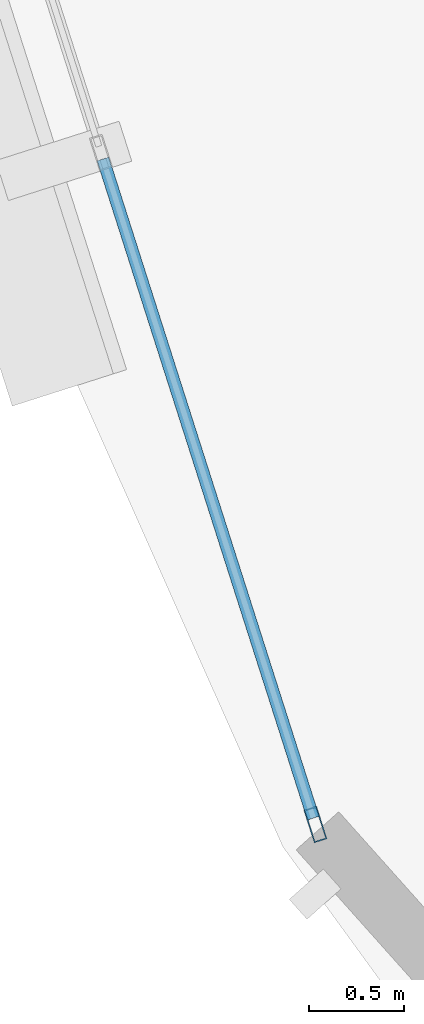
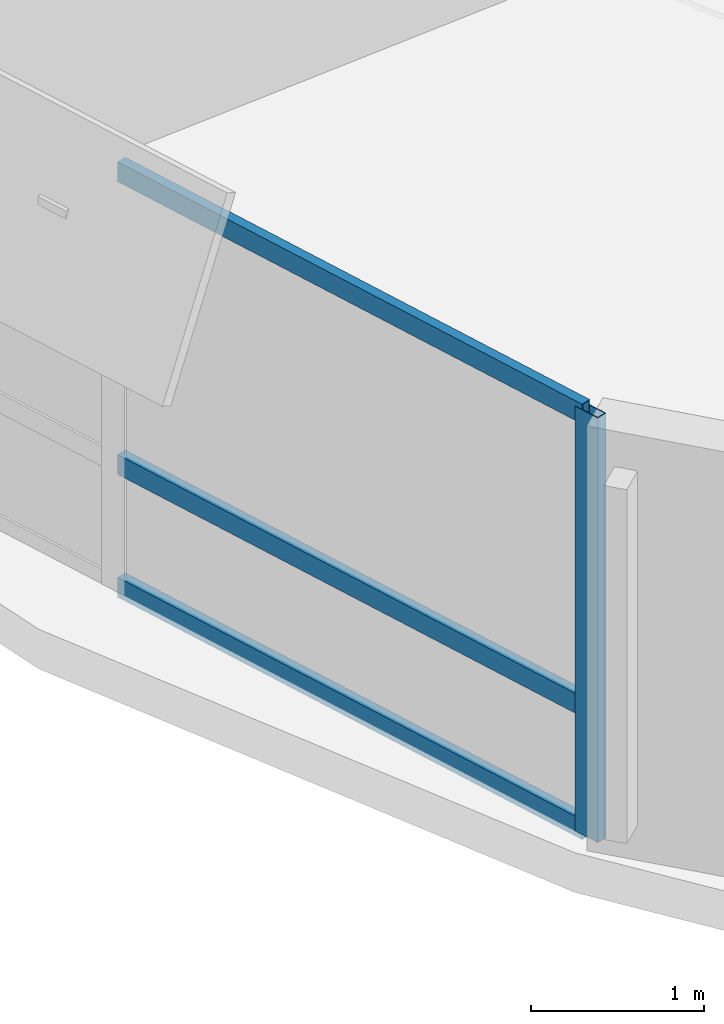
# One storey, part 2 of 16: 4 members, 1 element without a shape of its own.
"""IFC4 building model written with IfcOpenShell, lengths in metres."""

from ifc_helpers import new_model, si_unit, direction, frame, origin, origin_2d, place, context, subcontext, project, spatial, hollow_rectangle, extrude, material, layer, layer_set, material_profile, profile_set, type_object, element, aggregate, save


model = new_model("IFC4")

# Units and contexts
model_context = context("Model", 3, precision=1e-05, world=origin(), true_north=direction((0.0, 1.0)))
body_context = subcontext(model_context, "Body", "Model", "MODEL_VIEW")
ifc_project = project(units=[si_unit("LENGTHUNIT", "METRE"), si_unit("AREAUNIT", "SQUARE_METRE"), si_unit("VOLUMEUNIT", "CUBIC_METRE"), si_unit("PLANEANGLEUNIT", "RADIAN"), si_unit("MASSUNIT", "GRAM", prefix="KILO"), si_unit("THERMODYNAMICTEMPERATUREUNIT", "KELVIN"), si_unit("POWERUNIT", "WATT")], contexts=[model_context])

# Site, building, storey
site_placement = place(None, origin())
site = spatial("IfcSite", under=ifc_project, at=site_placement, CompositionType="ELEMENT")
building_placement = place(site_placement, origin())
building = spatial("IfcBuilding", under=site, at=building_placement, Name="Ocrelia Relay Tower", CompositionType="ELEMENT")
storey_placement = place(building_placement, frame((0.0, 0.0, 51.0)))
storey = spatial("IfcBuildingStorey", under=building, at=storey_placement, Name="L11", CompositionType="ELEMENT", Elevation=51.0)

# Curtain wall, members
ifc_material_1 = material(Name="Aluminium and solar-control low-E glass", Category="aluminium")
ifc_layer = layer(ifc_material_1, 0.179931640625, Name="Aluminium and solar-control low-E glass")
ifc_layer_set = layer_set([ifc_layer], Name="Aluminium and solar-control low-E glass")
curtain_wall_type = type_object("IfcCurtainWallType", Name="CW-SYS-Z1-DATA", PredefinedType="NOTDEFINED", material=ifc_layer_set)
curtain_wall_placement = place(storey_placement, origin())
curtain_wall = element("IfcCurtainWall", 1, at=curtain_wall_placement, inside=storey, type_object=curtain_wall_type, Name="L11 Elliptical Tower Curtain Wall Bay 10", PredefinedType="NOTDEFINED")
ifc_material_2 = material(Name="Anodised bronze aluminium", Category="aluminium")
ifc_material_profile_1 = material_profile(ifc_material_2, hollow_rectangle(XDim=0.070068359375, YDim=0.179931640625, WallThickness=0.006103515625, at=origin_2d()), Name="CW-MUL-180x70")
ifc_profile_set_1 = profile_set([ifc_material_profile_1], Name="Anodised bronze aluminium")
member_type_1 = type_object("IfcMemberType", Name="CW-SYS-Z1-DATA-MUL", PredefinedType="MULLION", material=ifc_profile_set_1)
member_1_placement = place(storey_placement, frame((8.558837890625, 16.610107421875, 0.0), z_axis=(0.0, 0.0, 1.0), x_axis=(0.952608497363, 0.304199031476, 0.0)))
member_1 = element("IfcMember", 2, at=member_1_placement, type_object=member_type_1, Name="CW-Z1 mullion 3", PredefinedType="MULLION", context=body_context, shape_type="SweptSolid", body=[
    extrude(hollow_rectangle(XDim=0.070068359375, YDim=0.179931640625, WallThickness=0.006103515625, at=origin_2d()), origin(), (0.0, 0.0, 1.0), 3.0),
])
ifc_material_profile_2 = material_profile(ifc_material_2, hollow_rectangle(XDim=0.06494140625, YDim=0.139892578125, WallThickness=0.0048828125, at=origin_2d()), Name="CW-TRN-140x65")
ifc_profile_set_2 = profile_set([ifc_material_profile_2], Name="Anodised bronze aluminium")
member_type_2 = type_object("IfcMemberType", Name="CW-SYS-Z1-DATA-TRN", PredefinedType="USERDEFINED", material=ifc_profile_set_2)
member_2_placement = place(storey_placement, frame((7.443115234375, 20.10400390625, 0.032470703125), z_axis=(0.30418552168, -0.952612811377, 0.0), x_axis=(0.952612811377, 0.30418552168, 0.0)))
member_2 = element("IfcMember", 3, at=member_2_placement, type_object=member_type_2, Name="CW-Z1 transom 2.1", ObjectType="TRANSOM", PredefinedType="USERDEFINED", context=body_context, shape_type="SweptSolid", body=[
    extrude(hollow_rectangle(XDim=0.06494140625, YDim=0.139892578125, WallThickness=0.0048828125, at=origin_2d()), origin(), (0.0, 0.0, 1.0), 3.632568359375),
])
member_3_placement = place(storey_placement, frame((7.443115234375, 20.10400390625, 0.89990234375), z_axis=(0.30418552168, -0.952612811377, 0.0), x_axis=(0.952612811377, 0.30418552168, 0.0)))
member_3 = element("IfcMember", 4, at=member_3_placement, type_object=member_type_2, Name="CW-Z1 transom 2.2", ObjectType="TRANSOM", PredefinedType="USERDEFINED", context=body_context, shape_type="SweptSolid", body=[
    extrude(hollow_rectangle(XDim=0.06494140625, YDim=0.139892578125, WallThickness=0.0048828125, at=origin_2d()), origin(), (0.0, 0.0, 1.0), 3.632568359375),
])
member_4_placement = place(storey_placement, frame((7.443115234375, 20.10400390625, 2.967529296875), z_axis=(0.30418552168, -0.952612811377, 0.0), x_axis=(0.952612811377, 0.30418552168, 0.0)))
member_4 = element("IfcMember", 5, at=member_4_placement, type_object=member_type_2, Name="CW-Z1 transom 2.3", ObjectType="TRANSOM", PredefinedType="USERDEFINED", context=body_context, shape_type="SweptSolid", body=[
    extrude(hollow_rectangle(XDim=0.06494140625, YDim=0.139892578125, WallThickness=0.0048828125, at=origin_2d()), origin(), (0.0, 0.0, 1.0), 3.632568359375),
])
aggregate(curtain_wall, [member_1, member_2, member_3, member_4])

save(model, "model.ifc")
